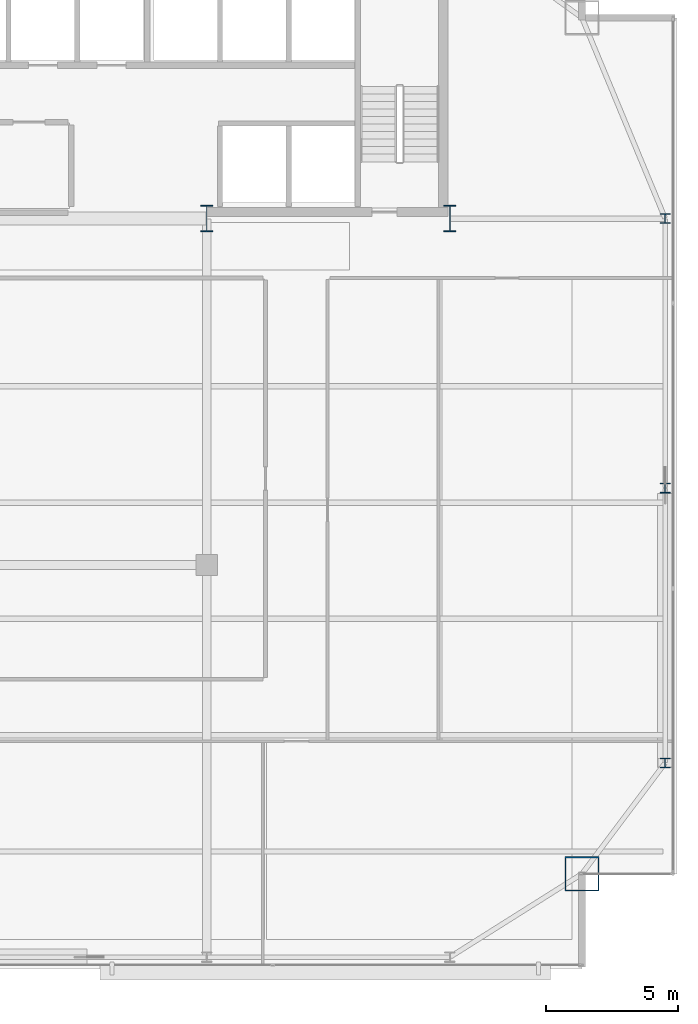
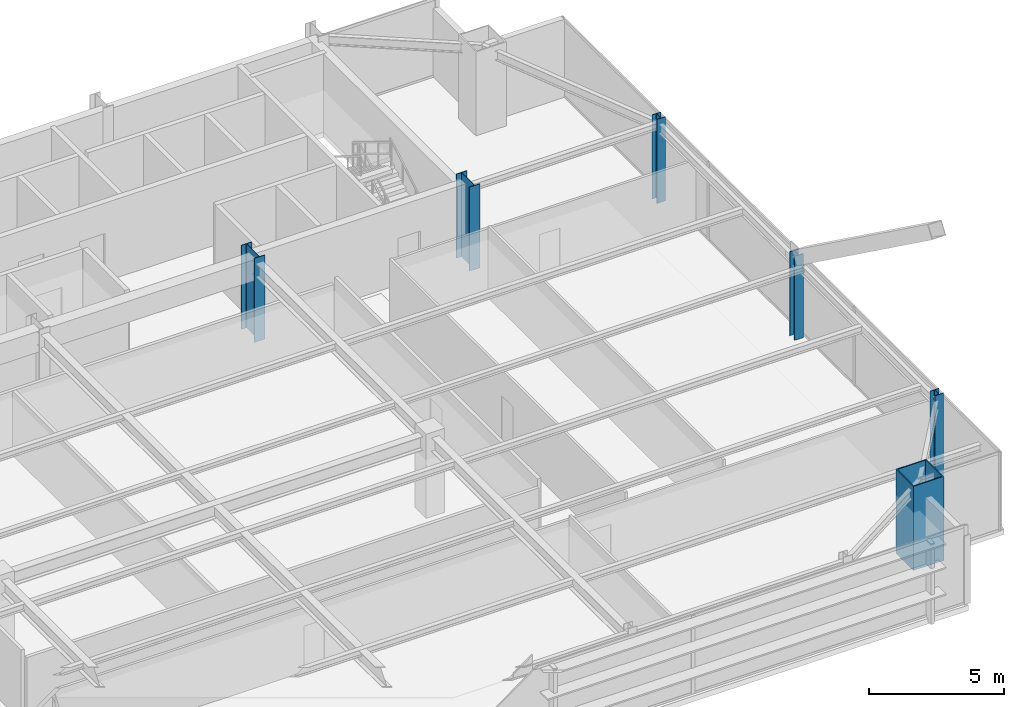
# One storey, part 2 of 30: 6 columns.
"""IFC4 building model written with IfcOpenShell, lengths in metres."""

from ifc_helpers import new_model, si_unit, direction, frame, origin, origin_2d, place, context, subcontext, project, spatial, hollow_rectangle, i_section, extrude, source, transform, mapped, material, material_profile, profile_set, type_object, type_shapes, element, save


model = new_model("IFC4")

# Units and contexts
model_context = context("Model", 3, precision=1e-05, world=origin(), true_north=direction((0.0, 1.0)))
body_context = subcontext(model_context, "Body", "Model", "MODEL_VIEW")
ifc_project = project(units=[si_unit("LENGTHUNIT", "METRE"), si_unit("AREAUNIT", "SQUARE_METRE"), si_unit("VOLUMEUNIT", "CUBIC_METRE"), si_unit("PLANEANGLEUNIT", "RADIAN"), si_unit("MASSUNIT", "GRAM", prefix="KILO")], contexts=[model_context])

# Site, building, storey
site_placement = place(None, origin())
site = spatial("IfcSite", under=ifc_project, at=site_placement, CompositionType="ELEMENT")
building_placement = place(site_placement, origin())
building = spatial("IfcBuilding", under=site, at=building_placement, Name="Varnel Quay Broadcast Tower", CompositionType="ELEMENT")
storey_placement = place(building_placement, frame((0.0, 0.0, 149.60009765625)))
storey = spatial("IfcBuildingStorey", under=building, at=storey_placement, Name="L36", CompositionType="ELEMENT", Elevation=149.60009765625)

# Columns
ifc_material_1 = material(Name="Structural Steel CSA G40.21 350WT", Category="steel")
ifc_material_profile_1 = material_profile(ifc_material_1, i_section(OverallWidth=0.449951171875, OverallDepth=1.0, WebThickness=0.01611328125, FlangeThickness=0.030029296875, FilletRadius=0.01611328125, at=origin_2d()), Name="WWF1000X362")
ifc_profile_set_1 = profile_set([ifc_material_profile_1], Name="Structural Steel CSA G40.21 350WT")
column_type_1 = type_object("IfcColumnType", Name="Col_WWF1000X362", PredefinedType="COLUMN", material=ifc_profile_set_1)
shared_shape_1 = source(origin(), body_context, "Body", "SweptSolid", [
    extrude(i_section(OverallWidth=0.449951171875, OverallDepth=1.0, WebThickness=0.01611328125, FlangeThickness=0.030029296875, FilletRadius=0.01611328125, at=origin_2d()), origin(), (0.0, 0.0, 1.0), 3.7998046875),
])
type_shapes(column_type_1, [shared_shape_1])
for number, where, z_axis, x_axis, name in (
    (1, (43.199951171875, 35.60009765625, 0.0), (0.0, 0.0, 1.0), (1.0, 0.0, 0.0), "L36 Column CC-S4"),
    (2, (52.39990234375, 35.60009765625, 0.0), (0.0, 0.0, 1.0), (1.0, 0.0, 0.0), "L36 Column CC-S5"),
):
    element("IfcColumn", number, at=place(storey_placement, frame(where, z_axis=z_axis, x_axis=x_axis)), inside=storey, type_object=column_type_1, Name=name, PredefinedType="COLUMN", context=body_context, shape_type="MappedRepresentation", body=[
        mapped(shared_shape_1, transform((0.0, 0.0, 0.0), x_axis=(1.0, 0.0, 0.0), y_axis=(0.0, 1.0, 0.0), z_axis=(0.0, 0.0, 1.0), scale=1.0)),
    ])
ifc_material_profile_2 = material_profile(ifc_material_1, hollow_rectangle(XDim=1.300048828125, YDim=1.300048828125, WallThickness=0.050048828125, at=origin_2d()), Name="BOX1300X1300X50")
ifc_profile_set_2 = profile_set([ifc_material_profile_2], Name="Structural Steel CSA G40.21 350WT")
column_type_2 = type_object("IfcColumnType", Name="Col_BOX1300X1300X50", PredefinedType="COLUMN", material=ifc_profile_set_2)
shared_shape_2 = source(origin(), body_context, "Body", "SweptSolid", [
    extrude(hollow_rectangle(XDim=1.300048828125, YDim=1.300048828125, WallThickness=0.050048828125, at=origin_2d()), origin(), (0.0, 0.0, 1.0), 3.7998046875),
])
type_shapes(column_type_2, [shared_shape_2])
column_placement = place(storey_placement, frame((57.39990234375, 10.800048828125, 0.0), z_axis=(0.0, 0.0, 1.0), x_axis=(1.0, 0.0, 0.0)))
element("IfcColumn", 3, at=column_placement, inside=storey, type_object=column_type_2, Name="L36 Column MC-SE", PredefinedType="COLUMN", context=body_context, shape_type="MappedRepresentation", body=[
    mapped(shared_shape_2, transform((0.0, 0.0, 0.0), x_axis=(1.0, 0.0, 0.0), y_axis=(0.0, 1.0, 0.0), z_axis=(0.0, 0.0, 1.0), scale=1.0)),
])
ifc_material_2 = material(Name="Structural Steel CSA G40.21 350W", Category="steel")
ifc_material_profile_3 = material_profile(ifc_material_2, i_section(OverallWidth=0.3740234375, OverallDepth=0.3720703125, WebThickness=0.016357421875, FlangeThickness=0.026123046875, FilletRadius=0.01611328125, at=origin_2d()), Name="W360X196")
ifc_profile_set_3 = profile_set([ifc_material_profile_3], Name="Structural Steel CSA G40.21 350W")
column_type_3 = type_object("IfcColumnType", Name="Col_W360X196", PredefinedType="COLUMN", material=ifc_profile_set_3)
shared_shape_3 = source(origin(), body_context, "Body", "SweptSolid", [
    extrude(i_section(OverallWidth=0.3740234375, OverallDepth=0.3720703125, WebThickness=0.016357421875, FlangeThickness=0.026123046875, FilletRadius=0.01611328125, at=origin_2d()), origin(), (0.0, 0.0, 1.0), 3.7998046875),
])
type_shapes(column_type_3, [shared_shape_3])
for number, where, z_axis, x_axis, name in (
    (4, (60.550048828125, 15.0, 0.0), (0.0, 0.0, 1.0), (1.0, 0.0, 0.0), "L36 Column TC-E1"),
    (5, (60.550048828125, 25.39990234375, 0.0), (0.0, 0.0, 1.0), (1.0, 0.0, 0.0), "L36 Column TC-E2"),
    (6, (60.550048828125, 35.60009765625, 0.0), (0.0, 0.0, 1.0), (1.0, 0.0, 0.0), "L36 Column TC-E3"),
):
    element("IfcColumn", number, at=place(storey_placement, frame(where, z_axis=z_axis, x_axis=x_axis)), inside=storey, type_object=column_type_3, Name=name, PredefinedType="COLUMN", context=body_context, shape_type="MappedRepresentation", body=[
        mapped(shared_shape_3, transform((0.0, 0.0, 0.0), x_axis=(1.0, 0.0, 0.0), y_axis=(0.0, 1.0, 0.0), z_axis=(0.0, 0.0, 1.0), scale=1.0)),
    ])

save(model, "model.ifc")
